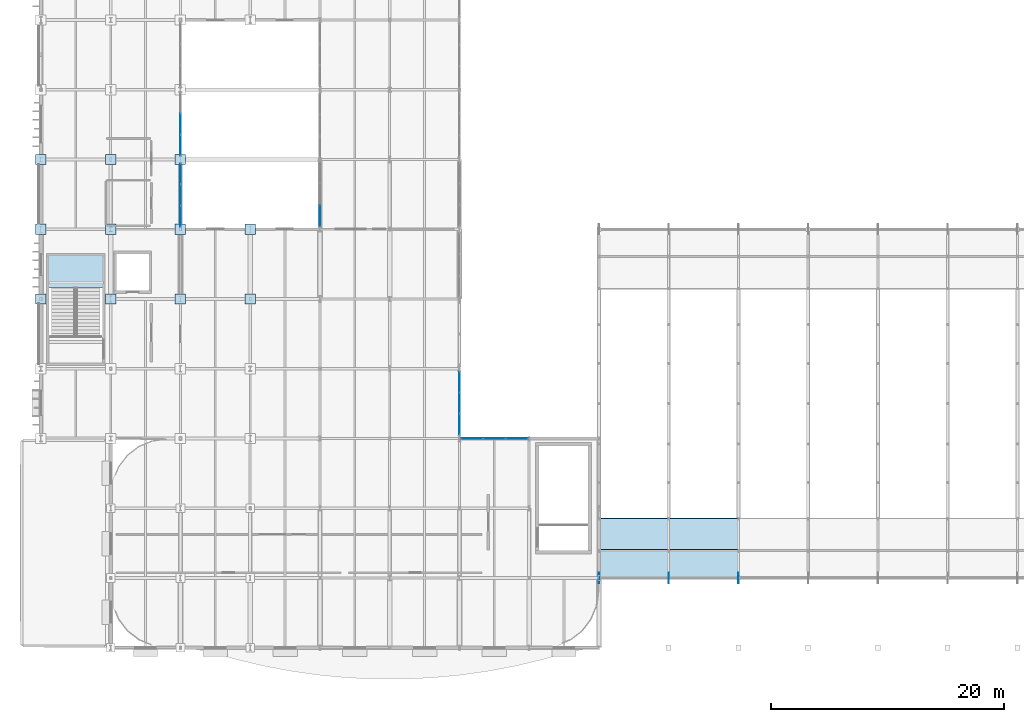
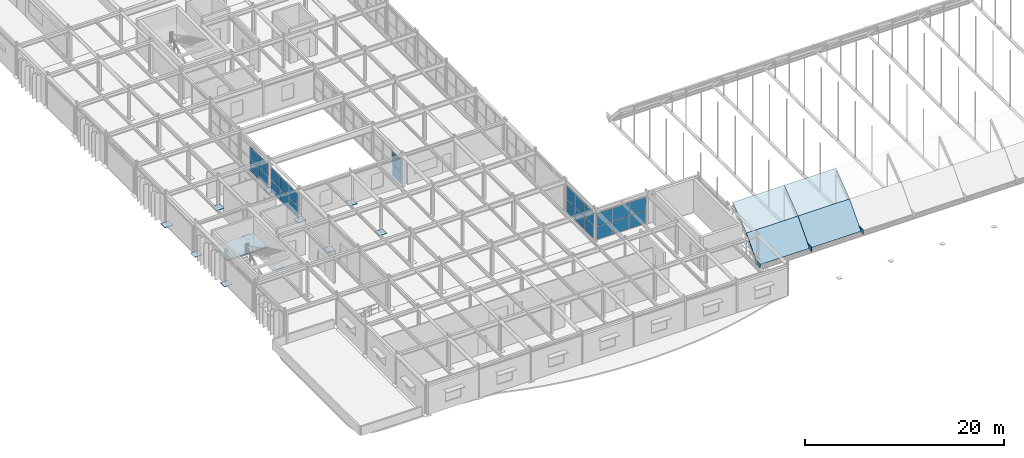
# One storey, part 76 of 116: 38 plates, 5 slabs, 6 elements without a shape of their own.
"""IFC4 building model written with IfcOpenShell, lengths in metres."""

from ifc_helpers import new_model, si_unit, direction, frame, origin, origin_2d, place, context, subcontext, project, spatial, polyline, rectangle, outline, extrude, material, layer, layer_set, type_object, element, aggregate, save


model = new_model("IFC4")

# Units and contexts
model_context = context("Model", 3, precision=1e-05, world=origin(), true_north=direction((0.0, 1.0)))
body_context = subcontext(model_context, "Body", "Model", "MODEL_VIEW")
ifc_project = project(units=[si_unit("LENGTHUNIT", "METRE"), si_unit("AREAUNIT", "SQUARE_METRE"), si_unit("VOLUMEUNIT", "CUBIC_METRE"), si_unit("PLANEANGLEUNIT", "RADIAN"), si_unit("MASSUNIT", "GRAM", prefix="KILO")], contexts=[model_context])

# Site, building, storey
site_placement = place(None, origin())
site = spatial("IfcSite", under=ifc_project, at=site_placement, CompositionType="ELEMENT")
building_placement = place(site_placement, origin())
building = spatial("IfcBuilding", under=site, at=building_placement, Name="Varnakota Square Police Headquarters", CompositionType="ELEMENT")
storey_placement = place(building_placement, frame((0.0, 0.0, 9.300048828125)))
storey = spatial("IfcBuildingStorey", under=building, at=storey_placement, Name="L02", CompositionType="ELEMENT", Elevation=9.300048828125)

# Curtain wall, plates
ifc_material_1 = material(Name="Anodised Aluminium Framing", Category="aluminium")
curtain_wall_type_1 = type_object("IfcCurtainWallType", Name="CW-SYS-F", PredefinedType="NOTDEFINED", material=ifc_material_1)
curtain_wall_1_placement = place(storey_placement, origin())
curtain_wall_1 = element("IfcCurtainWall", 1, at=curtain_wall_1_placement, inside=storey, type_object=curtain_wall_type_1, Name="Unitised curtain wall CWG-L02-163", PredefinedType="NOTDEFINED")
ifc_material_2 = material(Name="Solar-Control Laminated Double Glazing", Category="glass")
ifc_layer_1 = layer(ifc_material_2, 0.028076171875, Name="Solar-Control Laminated Double Glazing")
ifc_layer_set_1 = layer_set([ifc_layer_1], Name="Solar-Control Laminated Double Glazing")
plate_type_1 = type_object("IfcPlateType", Name="CWP-GLZ-28", PredefinedType="CURTAIN_PANEL", material=ifc_layer_set_1)
plate_1_placement = place(storey_placement, frame((18.0, 46.21533203125, 0.06494140625), z_axis=(0.0, 0.0, 1.0), x_axis=(0.0, 1.0, 0.0)))
plate_1 = element("IfcPlate", 2, at=plate_1_placement, type_object=plate_type_1, Name="CWG-L02-163 panel 1.1", PredefinedType="CURTAIN_PANEL", context=body_context, shape_type="SweptSolid", body=[
    extrude(rectangle(XDim=1.74072265625, YDim=0.028076171875, at=origin_2d()), origin(), (0.0, 0.0, 1.0), 1.447509765625),
])
plate_2_placement = place(storey_placement, frame((18.0, 48.03759765625, 0.06494140625), z_axis=(0.0, 0.0, 1.0), x_axis=(0.0, 1.0, 0.0)))
plate_2 = element("IfcPlate", 3, at=plate_2_placement, type_object=plate_type_1, Name="CWG-L02-163 panel 2.1", PredefinedType="CURTAIN_PANEL", context=body_context, shape_type="SweptSolid", body=[
    extrude(rectangle(XDim=1.7734375, YDim=0.028076171875, at=origin_2d()), origin(), (0.0, 0.0, 1.0), 1.447509765625),
])

curtain_wall_type_2 = type_object("IfcCurtainWallType", Name="CW-SYS-C", PredefinedType="NOTDEFINED", material=ifc_material_1)
curtain_wall_2_placement = place(storey_placement, origin())
curtain_wall_2 = element("IfcCurtainWall", 4, at=curtain_wall_2_placement, inside=storey, type_object=curtain_wall_type_2, Name="Unitised curtain wall CWG-L02-045", PredefinedType="NOTDEFINED")
ifc_material_3 = material(Name="Blast-Resistant Laminated Glazing", Category="glass")
ifc_layer_2 = layer(ifc_material_3, 0.035888671875, Name="Blast-Resistant Laminated Glazing")
ifc_layer_set_2 = layer_set([ifc_layer_2], Name="Blast-Resistant Laminated Glazing")
plate_type_2 = type_object("IfcPlateType", Name="CWP-GLZ-36", PredefinedType="CURTAIN_PANEL", material=ifc_layer_set_2)
plate_3_placement = place(storey_placement, frame((43.087158203125, 21.0, 0.06494140625), z_axis=(0.0, 0.0, 1.0), x_axis=(1.0, 0.0, 0.0)))
plate_3 = element("IfcPlate", 5, at=plate_3_placement, type_object=plate_type_2, Name="CWG-L02-045 panel 1.1", PredefinedType="CURTAIN_PANEL", context=body_context, shape_type="SweptSolid", body=[
    extrude(rectangle(XDim=1.84423828125, YDim=0.035888671875, at=origin_2d()), origin(), (0.0, 0.0, 1.0), 1.572509765625),
])
plate_4_placement = place(storey_placement, frame((45.012451171875, 21.0, 0.06494140625), z_axis=(0.0, 0.0, 1.0), x_axis=(1.0, 0.0, 0.0)))
plate_4 = element("IfcPlate", 6, at=plate_4_placement, type_object=plate_type_2, Name="CWG-L02-045 panel 2.1", PredefinedType="CURTAIN_PANEL", context=body_context, shape_type="SweptSolid", body=[
    extrude(rectangle(XDim=1.876708984375, YDim=0.035888671875, at=origin_2d()), origin(), (0.0, 0.0, 1.0), 1.572509765625),
])
plate_5_placement = place(storey_placement, frame((46.93798828125, 21.0, 0.06494140625), z_axis=(0.0, 0.0, 1.0), x_axis=(1.0, 0.0, 0.0)))
plate_5 = element("IfcPlate", 7, at=plate_5_placement, type_object=plate_type_2, Name="CWG-L02-045 panel 3.1", PredefinedType="CURTAIN_PANEL", context=body_context, shape_type="SweptSolid", body=[
    extrude(rectangle(XDim=1.84423828125, YDim=0.035888671875, at=origin_2d()), origin(), (0.0, 0.0, 1.0), 1.572509765625),
])

curtain_wall_3_placement = place(storey_placement, origin())
curtain_wall_3 = element("IfcCurtainWall", 8, at=curtain_wall_3_placement, inside=storey, type_object=curtain_wall_type_1, Name="Unitised curtain wall CWG-L02-161", PredefinedType="NOTDEFINED")
plate_6_placement = place(storey_placement, frame((18.0, 40.0986328125, 0.06494140625), z_axis=(0.0, 0.0, 1.0), x_axis=(0.0, 1.0, 0.0)))
plate_6 = element("IfcPlate", 9, at=plate_6_placement, type_object=plate_type_2, Name="CWG-L02-161 panel 1.1", PredefinedType="CURTAIN_PANEL", context=body_context, shape_type="SweptSolid", body=[
    extrude(rectangle(XDim=1.757568359375, YDim=0.035888671875, at=origin_2d()), origin(), (0.0, 0.0, 1.0), 1.447509765625),
])
plate_7_placement = place(storey_placement, frame((18.0, 41.9375, 0.06494140625), z_axis=(0.0, 0.0, 1.0), x_axis=(0.0, 1.0, 0.0)))
plate_7 = element("IfcPlate", 10, at=plate_7_placement, type_object=plate_type_2, Name="CWG-L02-161 panel 2.1", PredefinedType="CURTAIN_PANEL", context=body_context, shape_type="SweptSolid", body=[
    extrude(rectangle(XDim=1.7900390625, YDim=0.035888671875, at=origin_2d()), origin(), (0.0, 0.0, 1.0), 1.447509765625),
])
plate_8_placement = place(storey_placement, frame((18.0, 43.7763671875, 0.06494140625), z_axis=(0.0, 0.0, 1.0), x_axis=(0.0, 1.0, 0.0)))
plate_8 = element("IfcPlate", 11, at=plate_8_placement, type_object=plate_type_2, Name="CWG-L02-161 panel 3.1", PredefinedType="CURTAIN_PANEL", context=body_context, shape_type="SweptSolid", body=[
    extrude(rectangle(XDim=1.757568359375, YDim=0.035888671875, at=origin_2d()), origin(), (0.0, 0.0, 1.0), 1.447509765625),
])

curtain_wall_type_3 = type_object("IfcCurtainWallType", Name="CW-SYS-D", PredefinedType="NOTDEFINED", material=ifc_material_1)
curtain_wall_4_placement = place(storey_placement, origin())
curtain_wall_4 = element("IfcCurtainWall", 12, at=curtain_wall_4_placement, inside=storey, type_object=curtain_wall_type_3, Name="Unitised curtain wall CWG-L02-154", PredefinedType="NOTDEFINED")
ifc_material_4 = material(Name="Triple-Glazed Clean-Lab Vision Unit", Category="aluminium")
ifc_layer_3 = layer(ifc_material_4, 0.0419921875, Name="Triple-Glazed Clean-Lab Vision Unit")
ifc_layer_set_3 = layer_set([ifc_layer_3], Name="Triple-Glazed Clean-Lab Vision Unit")
plate_type_3 = type_object("IfcPlateType", Name="CWP-GLZ-42", PredefinedType="CURTAIN_PANEL", material=ifc_layer_set_3)
plate_9_placement = place(storey_placement, frame((42.0, 22.21533203125, 0.06494140625), z_axis=(0.0, 0.0, 1.0), x_axis=(0.0, 1.0, 0.0)))
plate_9 = element("IfcPlate", 13, at=plate_9_placement, type_object=plate_type_3, Name="CWG-L02-154 panel 1.1", PredefinedType="CURTAIN_PANEL", context=body_context, shape_type="SweptSolid", body=[
    extrude(rectangle(XDim=1.74072265625, YDim=0.0419921875, at=origin_2d()), origin(), (0.0, 0.0, 1.0), 1.572509765625),
])
plate_10_placement = place(storey_placement, frame((42.0, 24.03759765625, 0.06494140625), z_axis=(0.0, 0.0, 1.0), x_axis=(0.0, 1.0, 0.0)))
plate_10 = element("IfcPlate", 14, at=plate_10_placement, type_object=plate_type_3, Name="CWG-L02-154 panel 2.1", PredefinedType="CURTAIN_PANEL", context=body_context, shape_type="SweptSolid", body=[
    extrude(rectangle(XDim=1.7734375, YDim=0.0419921875, at=origin_2d()), origin(), (0.0, 0.0, 1.0), 1.572509765625),
])
plate_11_placement = place(storey_placement, frame((42.0, 25.859619140625, 0.06494140625), z_axis=(0.0, 0.0, 1.0), x_axis=(0.0, 1.0, 0.0)))
plate_11 = element("IfcPlate", 15, at=plate_11_placement, type_object=plate_type_3, Name="CWG-L02-154 panel 3.1", PredefinedType="CURTAIN_PANEL", context=body_context, shape_type="SweptSolid", body=[
    extrude(rectangle(XDim=1.74072265625, YDim=0.0419921875, at=origin_2d()), origin(), (0.0, 0.0, 1.0), 1.572509765625),
])

# Curtain wall, plate
curtain_wall_5_placement = place(storey_placement, origin())
curtain_wall_5 = element("IfcCurtainWall", 16, at=curtain_wall_5_placement, inside=storey, type_object=curtain_wall_type_1, Name="Unitised curtain wall CWG-L02-162", PredefinedType="NOTDEFINED")
plate_12_placement = place(storey_placement, frame((30.0, 40.1611328125, 0.06494140625), z_axis=(0.0, 0.0, 1.0), x_axis=(0.0, 1.0, 0.0)))
plate_12 = element("IfcPlate", 17, at=plate_12_placement, type_object=plate_type_3, Name="CWG-L02-162 panel 1.1", PredefinedType="CURTAIN_PANEL", context=body_context, shape_type="SweptSolid", body=[
    extrude(rectangle(XDim=1.782470703125, YDim=0.0419921875, at=origin_2d()), origin(), (0.0, 0.0, 1.0), 1.447509765625),
])

# Plate
ifc_material_5 = material(Name="Insulated Anodised Aluminium Spandrel Panel", Category="aluminium")
ifc_layer_4 = layer(ifc_material_5, 0.050048828125, Name="Insulated Anodised Aluminium Spandrel Panel")
ifc_layer_set_4 = layer_set([ifc_layer_4], Name="Insulated Anodised Aluminium Spandrel Panel")
plate_type_4 = type_object("IfcPlateType", Name="CWP-SPN-50", PredefinedType="CURTAIN_PANEL", material=ifc_layer_set_4)
plate_13_placement = place(storey_placement, frame((43.087158203125, 21.0, 1.70263671875), z_axis=(0.0, 0.0, 1.0), x_axis=(1.0, 0.0, 0.0)))
plate_13 = element("IfcPlate", 18, at=plate_13_placement, type_object=plate_type_4, Name="CWG-L02-045 panel 1.2", PredefinedType="CURTAIN_PANEL", context=body_context, shape_type="SweptSolid", body=[
    extrude(rectangle(XDim=1.84423828125, YDim=0.050048828125, at=origin_2d()), origin(), (0.0, 0.0, 1.0), 1.572509765625),
])

plate_14_placement = place(storey_placement, frame((45.012451171875, 21.0, 1.70263671875), z_axis=(0.0, 0.0, 1.0), x_axis=(1.0, 0.0, 0.0)))
plate_14 = element("IfcPlate", 19, at=plate_14_placement, type_object=plate_type_4, Name="CWG-L02-045 panel 2.2", PredefinedType="CURTAIN_PANEL", context=body_context, shape_type="SweptSolid", body=[
    extrude(rectangle(XDim=1.876708984375, YDim=0.050048828125, at=origin_2d()), origin(), (0.0, 0.0, 1.0), 1.572509765625),
])

plate_15_placement = place(storey_placement, frame((46.93798828125, 21.0, 1.70263671875), z_axis=(0.0, 0.0, 1.0), x_axis=(1.0, 0.0, 0.0)))
plate_15 = element("IfcPlate", 20, at=plate_15_placement, type_object=plate_type_4, Name="CWG-L02-045 panel 3.2", PredefinedType="CURTAIN_PANEL", context=body_context, shape_type="SweptSolid", body=[
    extrude(rectangle(XDim=1.84423828125, YDim=0.050048828125, at=origin_2d()), origin(), (0.0, 0.0, 1.0), 1.572509765625),
])

aggregate(curtain_wall_2, [plate_3, plate_13, plate_4, plate_14, plate_5, plate_15])

plate_16_placement = place(storey_placement, frame((18.0, 40.0986328125, 1.57763671875), z_axis=(0.0, 0.0, 1.0), x_axis=(0.0, 1.0, 0.0)))
plate_16 = element("IfcPlate", 21, at=plate_16_placement, type_object=plate_type_4, Name="CWG-L02-161 panel 1.2", PredefinedType="CURTAIN_PANEL", context=body_context, shape_type="SweptSolid", body=[
    extrude(rectangle(XDim=1.757568359375, YDim=0.050048828125, at=origin_2d()), origin(), (0.0, 0.0, 1.0), 1.447509765625),
])

plate_17_placement = place(storey_placement, frame((18.0, 41.9375, 1.57763671875), z_axis=(0.0, 0.0, 1.0), x_axis=(0.0, 1.0, 0.0)))
plate_17 = element("IfcPlate", 22, at=plate_17_placement, type_object=plate_type_4, Name="CWG-L02-161 panel 2.2", PredefinedType="CURTAIN_PANEL", context=body_context, shape_type="SweptSolid", body=[
    extrude(rectangle(XDim=1.7900390625, YDim=0.050048828125, at=origin_2d()), origin(), (0.0, 0.0, 1.0), 1.447509765625),
])

plate_18_placement = place(storey_placement, frame((18.0, 43.7763671875, 1.57763671875), z_axis=(0.0, 0.0, 1.0), x_axis=(0.0, 1.0, 0.0)))
plate_18 = element("IfcPlate", 23, at=plate_18_placement, type_object=plate_type_4, Name="CWG-L02-161 panel 3.2", PredefinedType="CURTAIN_PANEL", context=body_context, shape_type="SweptSolid", body=[
    extrude(rectangle(XDim=1.757568359375, YDim=0.050048828125, at=origin_2d()), origin(), (0.0, 0.0, 1.0), 1.447509765625),
])

aggregate(curtain_wall_3, [plate_6, plate_16, plate_7, plate_17, plate_8, plate_18])

plate_19_placement = place(storey_placement, frame((18.0, 46.21533203125, 1.57763671875), z_axis=(0.0, 0.0, 1.0), x_axis=(0.0, 1.0, 0.0)))
plate_19 = element("IfcPlate", 24, at=plate_19_placement, type_object=plate_type_4, Name="CWG-L02-163 panel 1.2", PredefinedType="CURTAIN_PANEL", context=body_context, shape_type="SweptSolid", body=[
    extrude(rectangle(XDim=1.74072265625, YDim=0.050048828125, at=origin_2d()), origin(), (0.0, 0.0, 1.0), 1.447509765625),
])

plate_20_placement = place(storey_placement, frame((18.0, 48.03759765625, 1.57763671875), z_axis=(0.0, 0.0, 1.0), x_axis=(0.0, 1.0, 0.0)))
plate_20 = element("IfcPlate", 25, at=plate_20_placement, type_object=plate_type_4, Name="CWG-L02-163 panel 2.2", PredefinedType="CURTAIN_PANEL", context=body_context, shape_type="SweptSolid", body=[
    extrude(rectangle(XDim=1.7734375, YDim=0.050048828125, at=origin_2d()), origin(), (0.0, 0.0, 1.0), 1.447509765625),
])

aggregate(curtain_wall_1, [plate_1, plate_19, plate_2, plate_20])

ifc_material_6 = material(Name="Fire-Stopped Mineral-Wool Spandrel Panel", Category="aluminium")
ifc_layer_5 = layer(ifc_material_6, 0.06005859375, Name="Fire-Stopped Mineral-Wool Spandrel Panel")
ifc_layer_set_5 = layer_set([ifc_layer_5], Name="Fire-Stopped Mineral-Wool Spandrel Panel")
plate_type_5 = type_object("IfcPlateType", Name="CWP-SPN-60", PredefinedType="CURTAIN_PANEL", material=ifc_layer_set_5)
plate_21_placement = place(storey_placement, frame((42.0, 22.21533203125, 1.70263671875), z_axis=(0.0, 0.0, 1.0), x_axis=(0.0, 1.0, 0.0)))
plate_21 = element("IfcPlate", 26, at=plate_21_placement, type_object=plate_type_5, Name="CWG-L02-154 panel 1.2", PredefinedType="CURTAIN_PANEL", context=body_context, shape_type="SweptSolid", body=[
    extrude(rectangle(XDim=1.74072265625, YDim=0.06005859375, at=origin_2d()), origin(), (0.0, 0.0, 1.0), 1.572509765625),
])

plate_22_placement = place(storey_placement, frame((42.0, 24.03759765625, 1.70263671875), z_axis=(0.0, 0.0, 1.0), x_axis=(0.0, 1.0, 0.0)))
plate_22 = element("IfcPlate", 27, at=plate_22_placement, type_object=plate_type_5, Name="CWG-L02-154 panel 2.2", PredefinedType="CURTAIN_PANEL", context=body_context, shape_type="SweptSolid", body=[
    extrude(rectangle(XDim=1.7734375, YDim=0.06005859375, at=origin_2d()), origin(), (0.0, 0.0, 1.0), 1.572509765625),
])

plate_23_placement = place(storey_placement, frame((42.0, 25.859619140625, 1.70263671875), z_axis=(0.0, 0.0, 1.0), x_axis=(0.0, 1.0, 0.0)))
plate_23 = element("IfcPlate", 28, at=plate_23_placement, type_object=plate_type_5, Name="CWG-L02-154 panel 3.2", PredefinedType="CURTAIN_PANEL", context=body_context, shape_type="SweptSolid", body=[
    extrude(rectangle(XDim=1.74072265625, YDim=0.06005859375, at=origin_2d()), origin(), (0.0, 0.0, 1.0), 1.572509765625),
])

aggregate(curtain_wall_4, [plate_9, plate_21, plate_10, plate_22, plate_11, plate_23])

plate_24_placement = place(storey_placement, frame((30.0, 40.1611328125, 1.57763671875), z_axis=(0.0, 0.0, 1.0), x_axis=(0.0, 1.0, 0.0)))
plate_24 = element("IfcPlate", 29, at=plate_24_placement, type_object=plate_type_5, Name="CWG-L02-162 panel 1.2", PredefinedType="CURTAIN_PANEL", context=body_context, shape_type="SweptSolid", body=[
    extrude(rectangle(XDim=1.782470703125, YDim=0.06005859375, at=origin_2d()), origin(), (0.0, 0.0, 1.0), 1.447509765625),
])

aggregate(curtain_wall_5, [plate_12, plate_24])

# Plates
ifc_material_7 = material(Name="Steel IS 2062 Grade 350", Category="steel")
ifc_layer_6 = layer(ifc_material_7, 0.031982421875, Name="Steel IS 2062 Grade 350")
ifc_layer_set_6 = layer_set([ifc_layer_6], Name="Steel IS 2062 Grade 350")
plate_type_6 = type_object("IfcPlateType", Name="PL-BASE-32", PredefinedType="SHEET", material=ifc_layer_set_6)
for number, where, z_axis, x_axis, name in (
    (30, (6.0, 33.0, 0.0), (0.0, 0.0, 1.0), (1.0, 0.0, 0.0), "Column base plate BP-003"),
    (31, (6.0, 39.0, 0.0), (0.0, 0.0, 1.0), (1.0, 0.0, 0.0), "Column base plate BP-004"),
    (32, (6.0, 45.0, 0.0), (0.0, 0.0, 1.0), (1.0, 0.0, 0.0), "Column base plate BP-005"),
    (33, (12.0, 33.0, 0.0), (0.0, 0.0, 1.0), (1.0, 0.0, 0.0), "Column base plate BP-021"),
    (34, (12.0, 39.0, 0.0), (0.0, 0.0, 1.0), (1.0, 0.0, 0.0), "Column base plate BP-022"),
    (35, (12.0, 45.0, 0.0), (0.0, 0.0, 1.0), (1.0, 0.0, 0.0), "Column base plate BP-023"),
    (36, (18.0, 33.0, 0.0), (0.0, 0.0, 1.0), (1.0, 0.0, 0.0), "Column base plate BP-036"),
    (37, (18.0, 39.0, 0.0), (0.0, 0.0, 1.0), (1.0, 0.0, 0.0), "Column base plate BP-037"),
    (38, (18.0, 45.0, 0.0), (0.0, 0.0, 1.0), (1.0, 0.0, 0.0), "Column base plate BP-038"),
    (39, (24.0, 33.0, 0.0), (0.0, 0.0, 1.0), (1.0, 0.0, 0.0), "Column base plate BP-051"),
    (40, (24.0, 39.0, 0.0), (0.0, 0.0, 1.0), (1.0, 0.0, 0.0), "Column base plate BP-052"),
):
    element("IfcPlate", number, at=place(storey_placement, frame(where, z_axis=z_axis, x_axis=x_axis)), inside=storey, type_object=plate_type_6, Name=name, PredefinedType="SHEET", context=body_context, shape_type="SweptSolid", body=[
        extrude(rectangle(XDim=0.89990234375, YDim=0.89990234375, at=origin_2d()), origin(), (0.0, 0.0, 1.0), 0.031982421875),
    ])
ifc_layer_7 = layer(ifc_material_7, 0.02001953125, Name="Steel IS 2062 Grade 350")
ifc_layer_set_7 = layer_set([ifc_layer_7], Name="Steel IS 2062 Grade 350")
plate_type_7 = type_object("IfcPlateType", Name="PL-GUS-20", PredefinedType="SHEET", material=ifc_layer_set_7)
for number, where, z_axis, x_axis, name in (
    (41, (54.0, 9.0, -0.150146484375), (0.0, 0.0, 1.0), (1.0, 0.0, 0.0), "Vault springing gusset GP-001"),
    (42, (60.0, 9.0, -0.150146484375), (0.0, 0.0, 1.0), (1.0, 0.0, 0.0), "Vault springing gusset GP-003"),
    (43, (66.0, 9.0, -0.150146484375), (0.0, 0.0, 1.0), (1.0, 0.0, 0.0), "Vault springing gusset GP-005"),
):
    element("IfcPlate", number, at=place(storey_placement, frame(where, z_axis=z_axis, x_axis=x_axis)), inside=storey, type_object=plate_type_7, Name=name, PredefinedType="SHEET", context=body_context, shape_type="SweptSolid", body=[
        extrude(rectangle(XDim=0.02001953125, YDim=0.89990234375, at=origin_2d()), origin(), (0.0, 0.0, 1.0), 0.60009765625),
    ])

# Slabs
ifc_material_8 = material(Name="Concrete M40", Category="concrete")
ifc_layer_8 = layer(ifc_material_8, 0.139892578125, Name="Concrete M40")
ifc_layer_set_8 = layer_set([ifc_layer_8], Name="Concrete M40")
slab_type_1 = type_object("IfcSlabType", Name="SL-VLT-140", PredefinedType="ROOF", material=ifc_layer_set_8)
slab_1_placement = place(storey_placement, frame((54.0, 9.0, 0.0), z_axis=(0.0, -0.740985858159, 0.671520631111), x_axis=(1.0, 0.0, 0.0)))
element("IfcSlab", 44, at=slab_1_placement, inside=storey, type_object=slab_type_1, Name="Barrel vault roof deck strip V1-B01-S01", PredefinedType="ROOF", context=body_context, shape_type="SweptSolid", body=[
    extrude(outline(polyline([(0.0, 0.0), (6.0, 0.0), (6.0, 3.4723983171102333), (0.0, 3.4723983171102333), (0.0, 0.0)])), origin(), (0.0, 0.0, -1.0), 0.139892578125),
])
slab_2_placement = place(storey_placement, frame((54.0, 11.331787109375, 2.572998046875), z_axis=(0.0, -0.604468039557, 0.7966293926), x_axis=(1.0, 0.0, 0.0)))
element("IfcSlab", 45, at=slab_2_placement, inside=storey, type_object=slab_type_1, Name="Barrel vault roof deck strip V1-B01-S02", PredefinedType="ROOF", context=body_context, shape_type="SweptSolid", body=[
    extrude(outline(polyline([(0.0, 0.0), (6.0, 0.0), (6.0, 3.472271180231597), (0.0, 3.472271180231597), (0.0, 0.0)])), origin(), (0.0, 0.0, -1.0), 0.139892578125),
])
slab_3_placement = place(storey_placement, frame((60.0, 9.0, 0.0), z_axis=(0.0, -0.740985858159, 0.671520631111), x_axis=(1.0, 0.0, 0.0)))
element("IfcSlab", 46, at=slab_3_placement, inside=storey, type_object=slab_type_1, Name="Barrel vault roof deck strip V1-B02-S01", PredefinedType="ROOF", context=body_context, shape_type="SweptSolid", body=[
    extrude(outline(polyline([(0.0, 0.0), (6.0, 0.0), (6.0, 3.4723983171102333), (0.0, 3.4723983171102333), (0.0, 0.0)])), origin(), (0.0, 0.0, -1.0), 0.139892578125),
])
slab_4_placement = place(storey_placement, frame((60.0, 11.331787109375, 2.572998046875), z_axis=(0.0, -0.604468039557, 0.7966293926), x_axis=(1.0, 0.0, 0.0)))
element("IfcSlab", 47, at=slab_4_placement, inside=storey, type_object=slab_type_1, Name="Barrel vault roof deck strip V1-B02-S02", PredefinedType="ROOF", context=body_context, shape_type="SweptSolid", body=[
    extrude(outline(polyline([(0.0, 0.0), (6.0, 0.0), (6.0, 3.472271180231597), (0.0, 3.472271180231597), (0.0, 0.0)])), origin(), (0.0, 0.0, -1.0), 0.139892578125),
])

# Stair, slab
stair_type = type_object("IfcStairType", Name="STR-DOG-2000", PredefinedType="USERDEFINED", material=ifc_material_8)
stair_placement = place(storey_placement, origin())
stair = element("IfcStair", 48, at=stair_placement, inside=storey, type_object=stair_type, Name="Protected exit stair ST4 (L02)", ObjectType="TWO_RETURN_STAIR", PredefinedType="USERDEFINED")
ifc_layer_9 = layer(ifc_material_8, 0.166015625, Name="Concrete M40")
ifc_layer_set_9 = layer_set([ifc_layer_9], Name="Concrete M40")
slab_type_2 = type_object("IfcSlabType", Name="SLB-LND-2000", PredefinedType="LANDING", material=ifc_layer_set_9)
slab_5_placement = place(storey_placement, frame((0.0, 0.0, 1.933837890625)))
slab_5 = element("IfcSlab", 49, at=slab_5_placement, type_object=slab_type_2, Name="ST4-L02 landing 1", PredefinedType="LANDING", context=body_context, shape_type="SweptSolid", body=[
    extrude(outline(polyline([(6.659912109375, 33.95068359375), (11.340087890625, 33.95068359375), (11.340087890625, 36.739990234375), (6.659912109375, 36.739990234375), (6.659912109375, 33.95068359375)])), origin(), (0.0, 0.0, 1.0), 0.166015625),
])
aggregate(stair, [slab_5])

save(model, "model.ifc")
